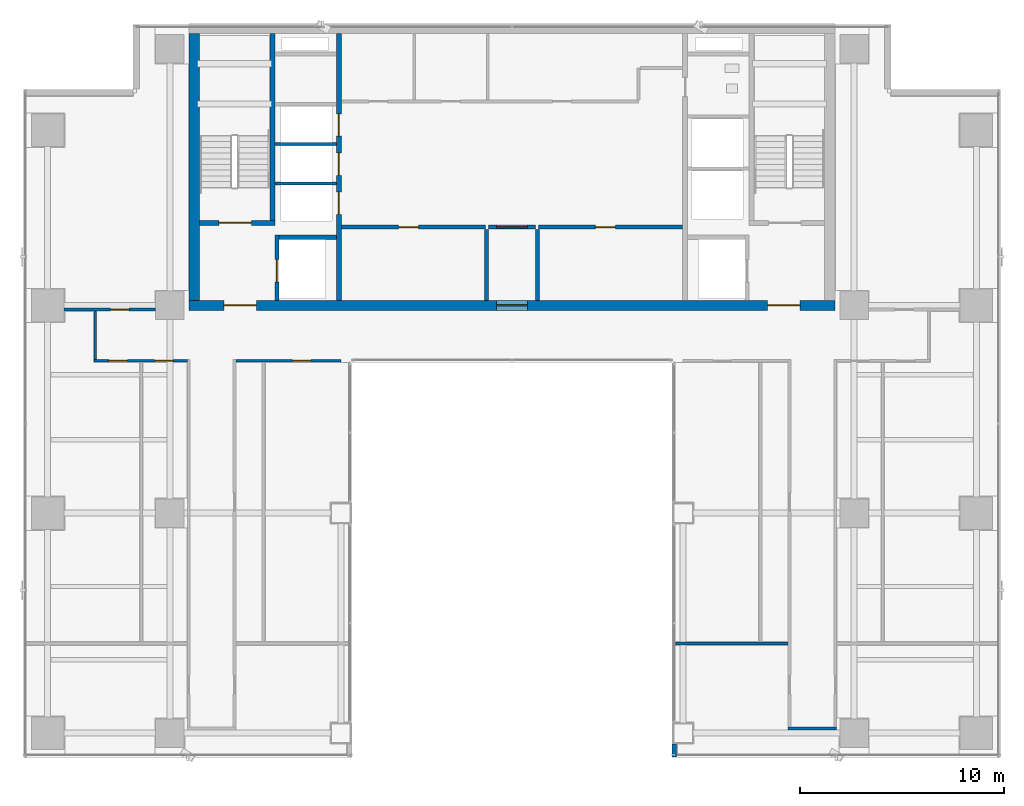
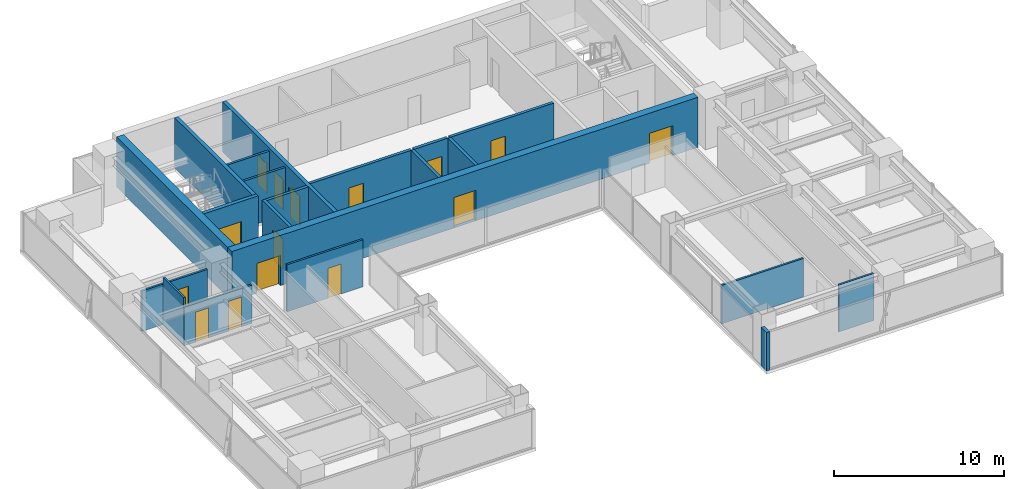
# One storey, part 24 of 30: 21 walls, 15 doors, 15 openings.
"""IFC4 building model written with IfcOpenShell, lengths in metres."""

from ifc_helpers import new_model, si_unit, direction, frame, frame_2d, origin, place, context, subcontext, project, spatial, rectangle, extrude, source, transform, mapped, material, layer, layer_set, type_object, element, fill, save


model = new_model("IFC4")

# Units and contexts
model_context = context("Model", 3, precision=1e-05, world=origin(), true_north=direction((0.0, 1.0)))
body_context = subcontext(model_context, "Body", "Model", "MODEL_VIEW")
ifc_project = project(units=[si_unit("LENGTHUNIT", "METRE"), si_unit("AREAUNIT", "SQUARE_METRE"), si_unit("VOLUMEUNIT", "CUBIC_METRE"), si_unit("PLANEANGLEUNIT", "RADIAN"), si_unit("MASSUNIT", "GRAM", prefix="KILO")], contexts=[model_context])

# Site, building, storey
site_placement = place(None, origin())
site = spatial("IfcSite", under=ifc_project, at=site_placement, CompositionType="ELEMENT")
building_placement = place(site_placement, origin())
building = spatial("IfcBuilding", under=site, at=building_placement, Name="Sumidabori Civic Tower", CompositionType="ELEMENT")
storey_placement = place(building_placement, frame((0.0, 0.0, 200.0)))
storey = spatial("IfcBuildingStorey", under=building, at=storey_placement, Name="L51", CompositionType="ELEMENT", Elevation=200.0)

# Wall
ifc_material_1 = material(Name="Concrete C50/60", Category="concrete")
ifc_layer_1 = layer(ifc_material_1, 0.199951171875, Name="Concrete C50/60")
ifc_layer_set_1 = layer_set([ifc_layer_1], Name="Concrete C50/60")
wall_type_1 = type_object("IfcWallType", Name="WL-SHAFT-200", PredefinedType="SHEAR", material=ifc_layer_set_1)
shared_shape_1 = source(origin(), body_context, "Body", "SweptSolid", [
    extrude(rectangle(XDim=2.824951171875, YDim=0.199951171875, at=frame_2d((1.41259765625, 0.0))), origin(), (0.0, 0.0, 1.0), 3.60009765625),
])
wall_1_placement = place(storey_placement, frame((-11.449951171875, 13.550048828125, 0.0), z_axis=(0.0, 0.0, 1.0), x_axis=(1.0, 0.0, 0.0)))
element("IfcWall", 1, at=wall_1_placement, inside=storey, type_object=wall_type_1, Name="Core Shear Wall L51 EL1-N", PredefinedType="SHEAR", context=body_context, shape_type="MappedRepresentation", body=[
    mapped(shared_shape_1, transform((0.0, 0.0, 0.0), x_axis=(1.0, 0.0, 0.0), y_axis=(0.0, 1.0, 0.0), z_axis=(0.0, 0.0, 1.0), scale=1.0)),
])

# Wall, openings, doors
ifc_layer_2 = layer(ifc_material_1, 0.5, Name="Concrete C50/60")
ifc_layer_set_2 = layer_set([ifc_layer_2], Name="Concrete C50/60")
wall_type_2 = type_object("IfcWallType", Name="WL-CORE-500", PredefinedType="SHEAR", material=ifc_layer_set_2)
shared_shape_2 = source(origin(), body_context, "Body", "SweptSolid", [
    extrude(rectangle(XDim=31.7001953125, YDim=0.5, at=frame_2d((15.85009765625, 0.0))), origin(), (0.0, 0.0, 1.0), 3.60009765625),
])
wall_2_placement = place(storey_placement, frame((-15.85009765625, 10.199951171875, 0.0), z_axis=(0.0, 0.0, 1.0), x_axis=(1.0, 0.0, 0.0)))
wall_2 = element("IfcWall", 2, at=wall_2_placement, inside=storey, type_object=wall_type_2, Name="Core Shear Wall L51 S", PredefinedType="SHEAR", context=body_context, shape_type="MappedRepresentation", body=[
    mapped(shared_shape_2, transform((0.0, 0.0, 0.0), x_axis=(1.0, 0.0, 0.0), y_axis=(0.0, 1.0, 0.0), z_axis=(0.0, 0.0, 1.0), scale=1.0)),
])
opening_1_placement = place(wall_2_placement, frame((1.699951171875, 0.0, 0.0)))
opening_1 = element("IfcOpeningElement", 3, at=opening_1_placement, cuts=wall_2, Name="Opening DR-FD4", PredefinedType="OPENING", context=body_context, shape_type="SweptSolid", body=[
    extrude(rectangle(XDim=1.60009765625, YDim=2.14990234375, at=frame_2d((0.800048828125, 1.074951171875))), frame((0.0, 0.261962890625, 0.0), z_axis=(0.0, -1.0, 0.0), x_axis=(1.0, 0.0, 0.0)), (0.0, 0.0, 1.0), 0.52392578125),
])
opening_2_placement = place(wall_2_placement, frame((28.39990234375, 0.0, 0.0)))
opening_2 = element("IfcOpeningElement", 4, at=opening_2_placement, cuts=wall_2, Name="Opening DR-FD4", PredefinedType="OPENING", context=body_context, shape_type="SweptSolid", body=[
    extrude(rectangle(XDim=1.60009765625, YDim=2.14990234375, at=frame_2d((0.800048828125, 1.074951171875))), frame((0.0, 0.261962890625, 0.0), z_axis=(0.0, -1.0, 0.0), x_axis=(1.0, 0.0, 0.0)), (0.0, 0.0, 1.0), 0.52392578125),
])
opening_3_placement = place(wall_2_placement, frame((15.10009765625, 0.0, 0.0)))
opening_3 = element("IfcOpeningElement", 5, at=opening_3_placement, cuts=wall_2, Name="Opening DR-FD3", PredefinedType="OPENING", context=body_context, shape_type="SweptSolid", body=[
    extrude(rectangle(XDim=1.5, YDim=2.199951171875, at=frame_2d((0.75, 1.10009765625))), frame((0.0, 0.261962890625, 0.0), z_axis=(0.0, -1.0, 0.0), x_axis=(1.0, 0.0, 0.0)), (0.0, 0.0, 1.0), 0.52392578125),
])
ifc_material_2 = material(Name="Steel SN490", Category="steel")
door_type_1 = type_object("IfcDoorType", Name="DR-FD4", OperationType="DOUBLE_DOOR_SINGLE_SWING", PredefinedType="DOOR", material=ifc_material_2)
shared_shape_3 = source(origin(), body_context, "Body", "SweptSolid", [
    extrude(rectangle(XDim=1.60009765625, YDim=2.14990234375, at=frame_2d((0.800048828125, 1.074951171875))), frame((0.0, 0.02490234375, 0.0), z_axis=(0.0, -1.0, 0.0), x_axis=(1.0, 0.0, 0.0)), (0.0, 0.0, 1.0), 0.050048828125),
])
door_1_placement = place(opening_1_placement, origin())
door_1 = element("IfcDoor", 6, at=door_1_placement, inside=storey, type_object=door_type_1, Name="Door DR:L51:ELOB-W", OperationType="DOUBLE_DOOR_SINGLE_SWING", OverallHeight=2.14990234375, OverallWidth=1.60009765625, PredefinedType="DOOR", context=body_context, shape_type="MappedRepresentation", body=[
    mapped(shared_shape_3, transform((0.0, 0.0, 0.0), x_axis=(1.0, 0.0, 0.0), y_axis=(0.0, 1.0, 0.0), z_axis=(0.0, 0.0, 1.0), scale=1.0)),
])
fill(opening_1, door_1)
door_2_placement = place(opening_2_placement, origin())
door_2 = element("IfcDoor", 7, at=door_2_placement, inside=storey, type_object=door_type_1, Name="Door DR:L51:ELOB-E", OperationType="DOUBLE_DOOR_SINGLE_SWING", OverallHeight=2.14990234375, OverallWidth=1.60009765625, PredefinedType="DOOR", context=body_context, shape_type="MappedRepresentation", body=[
    mapped(shared_shape_3, transform((0.0, 0.0, 0.0), x_axis=(1.0, 0.0, 0.0), y_axis=(0.0, 1.0, 0.0), z_axis=(0.0, 0.0, 1.0), scale=1.0)),
])
fill(opening_2, door_2)
door_type_2 = type_object("IfcDoorType", Name="DR-FD-DBL", OperationType="DOUBLE_DOOR_SINGLE_SWING", PredefinedType="DOOR", material=ifc_material_2)
shared_shape_4 = source(origin(), body_context, "Body", "SweptSolid", [
    extrude(rectangle(XDim=1.5, YDim=2.199951171875, at=frame_2d((0.75, 1.10009765625))), frame((0.0, 0.02490234375, 0.0), z_axis=(0.0, -1.0, 0.0), x_axis=(1.0, 0.0, 0.0)), (0.0, 0.0, 1.0), 0.050048828125),
])
door_3_placement = place(opening_3_placement, origin())
door_3 = element("IfcDoor", 8, at=door_3_placement, inside=storey, type_object=door_type_2, Name="Door DR:L51:THROAT-OUT", OperationType="DOUBLE_DOOR_SINGLE_SWING", OverallHeight=2.199951171875, OverallWidth=1.5, PredefinedType="DOOR", context=body_context, shape_type="MappedRepresentation", body=[
    mapped(shared_shape_4, transform((0.0, 0.0, 0.0), x_axis=(1.0, 0.0, 0.0), y_axis=(0.0, 1.0, 0.0), z_axis=(0.0, 0.0, 1.0), scale=1.0)),
])
fill(opening_3, door_3)

# Wall
shared_shape_5 = source(origin(), body_context, "Body", "SweptSolid", [
    extrude(rectangle(XDim=13.10009765625, YDim=0.5, at=frame_2d((6.550048828125, 0.0))), origin(), (0.0, 0.0, 1.0), 3.60009765625),
])
wall_3_placement = place(storey_placement, frame((-15.60009765625, 10.449951171875, 0.0), z_axis=(0.0, 0.0, 1.0), x_axis=(0.0, 1.0, 0.0)))
element("IfcWall", 9, at=wall_3_placement, inside=storey, type_object=wall_type_2, Name="Core Shear Wall L51 W", PredefinedType="SHEAR", context=body_context, shape_type="MappedRepresentation", body=[
    mapped(shared_shape_5, transform((0.0, 0.0, 0.0), x_axis=(1.0, 0.0, 0.0), y_axis=(0.0, 1.0, 0.0), z_axis=(0.0, 0.0, 1.0), scale=1.0)),
])

# Wall, openings, doors
ifc_layer_3 = layer(ifc_material_1, 0.25, Name="Concrete C50/60")
ifc_layer_set_3 = layer_set([ifc_layer_3], Name="Concrete C50/60")
wall_type_3 = type_object("IfcWallType", Name="WL-SHAFT-250", PredefinedType="SHEAR", material=ifc_layer_set_3)
shared_shape_6 = source(origin(), body_context, "Body", "SweptSolid", [
    extrude(rectangle(XDim=13.10009765625, YDim=0.25, at=frame_2d((6.550048828125, 0.0))), origin(), (0.0, 0.0, 1.0), 3.60009765625),
])
wall_4_placement = place(storey_placement, frame((-8.5, 10.449951171875, 0.0), z_axis=(0.0, 0.0, 1.0), x_axis=(0.0, 1.0, 0.0)))
wall_4 = element("IfcWall", 10, at=wall_4_placement, inside=storey, type_object=wall_type_3, Name="Core Shear Wall L51 WEB-W", PredefinedType="SHEAR", context=body_context, shape_type="MappedRepresentation", body=[
    mapped(shared_shape_6, transform((0.0, 0.0, 0.0), x_axis=(1.0, 0.0, 0.0), y_axis=(0.0, 1.0, 0.0), z_axis=(0.0, 0.0, 1.0), scale=1.0)),
])
opening_4_placement = place(wall_4_placement, frame((4.219970703125, 0.0, 0.0)))
opening_4 = element("IfcOpeningElement", 11, at=opening_4_placement, cuts=wall_4, Name="Opening LD-1", PredefinedType="OPENING", context=body_context, shape_type="SweptSolid", body=[
    extrude(rectangle(XDim=1.10009765625, YDim=2.14990234375, at=frame_2d((0.550048828125, 1.074951171875))), frame((0.0, 0.136962890625, 0.0), z_axis=(0.0, -1.0, 0.0), x_axis=(1.0, 0.0, 0.0)), (0.0, 0.0, 1.0), 0.27392578125),
])
opening_5_placement = place(wall_4_placement, frame((6.139892578125, 0.0, 0.0)))
opening_5 = element("IfcOpeningElement", 12, at=opening_5_placement, cuts=wall_4, Name="Opening LD-1", PredefinedType="OPENING", context=body_context, shape_type="SweptSolid", body=[
    extrude(rectangle(XDim=1.10009765625, YDim=2.14990234375, at=frame_2d((0.550048828125, 1.074951171875))), frame((0.0, 0.136962890625, 0.0), z_axis=(0.0, -1.0, 0.0), x_axis=(1.0, 0.0, 0.0)), (0.0, 0.0, 1.0), 0.27392578125),
])
opening_6_placement = place(wall_4_placement, frame((8.06005859375, 0.0, 0.0)))
opening_6 = element("IfcOpeningElement", 13, at=opening_6_placement, cuts=wall_4, Name="Opening LD-1", PredefinedType="OPENING", context=body_context, shape_type="SweptSolid", body=[
    extrude(rectangle(XDim=1.10009765625, YDim=2.14990234375, at=frame_2d((0.550048828125, 1.074951171875))), frame((0.0, 0.136962890625, 0.0), z_axis=(0.0, -1.0, 0.0), x_axis=(1.0, 0.0, 0.0)), (0.0, 0.0, 1.0), 0.27392578125),
])
ifc_material_3 = material(Name="Stainless Steel Hairline Finish", Category="steel")
door_type_3 = type_object("IfcDoorType", Name="DR-LD1", OperationType="DOUBLE_DOOR_SLIDING", PredefinedType="DOOR", material=ifc_material_3)
shared_shape_7 = source(origin(), body_context, "Body", "SweptSolid", [
    extrude(rectangle(XDim=1.10009765625, YDim=2.14990234375, at=frame_2d((0.550048828125, 1.074951171875))), frame((0.0, 0.02490234375, 0.0), z_axis=(0.0, -1.0, 0.0), x_axis=(1.0, 0.0, 0.0)), (0.0, 0.0, 1.0), 0.050048828125),
])
door_4_placement = place(opening_4_placement, origin())
door_4 = element("IfcDoor", 14, at=door_4_placement, inside=storey, type_object=door_type_3, Name="Door DR:L51:LD-PLH1", OperationType="DOUBLE_DOOR_SLIDING", OverallHeight=2.14990234375, OverallWidth=1.10009765625, PredefinedType="DOOR", context=body_context, shape_type="MappedRepresentation", body=[
    mapped(shared_shape_7, transform((0.0, 0.0, 0.0), x_axis=(1.0, 0.0, 0.0), y_axis=(0.0, 1.0, 0.0), z_axis=(0.0, 0.0, 1.0), scale=1.0)),
])
fill(opening_4, door_4)
door_5_placement = place(opening_5_placement, origin())
door_5 = element("IfcDoor", 15, at=door_5_placement, inside=storey, type_object=door_type_3, Name="Door DR:L51:LD-PLH2", OperationType="DOUBLE_DOOR_SLIDING", OverallHeight=2.14990234375, OverallWidth=1.10009765625, PredefinedType="DOOR", context=body_context, shape_type="MappedRepresentation", body=[
    mapped(shared_shape_7, transform((0.0, 0.0, 0.0), x_axis=(1.0, 0.0, 0.0), y_axis=(0.0, 1.0, 0.0), z_axis=(0.0, 0.0, 1.0), scale=1.0)),
])
fill(opening_5, door_5)
door_6_placement = place(opening_6_placement, origin())
door_6 = element("IfcDoor", 16, at=door_6_placement, inside=storey, type_object=door_type_3, Name="Door DR:L51:LD-PLH3", OperationType="DOUBLE_DOOR_SLIDING", OverallHeight=2.14990234375, OverallWidth=1.10009765625, PredefinedType="DOOR", context=body_context, shape_type="MappedRepresentation", body=[
    mapped(shared_shape_7, transform((0.0, 0.0, 0.0), x_axis=(1.0, 0.0, 0.0), y_axis=(0.0, 1.0, 0.0), z_axis=(0.0, 0.0, 1.0), scale=1.0)),
])
fill(opening_6, door_6)

# Wall, opening, door
shared_shape_8 = source(origin(), body_context, "Body", "SweptSolid", [
    extrude(rectangle(XDim=3.705078125, YDim=0.25, at=frame_2d((1.8525390625, 0.0))), origin(), (0.0, 0.0, 1.0), 3.60009765625),
])
wall_5_placement = place(storey_placement, frame((-15.35009765625, 14.25, 0.0), z_axis=(0.0, 0.0, 1.0), x_axis=(1.0, 0.0, 0.0)))
wall_5 = element("IfcWall", 17, at=wall_5_placement, inside=storey, type_object=wall_type_3, Name="Core Shear Wall L51 ST1-S", PredefinedType="SHEAR", context=body_context, shape_type="MappedRepresentation", body=[
    mapped(shared_shape_8, transform((0.0, 0.0, 0.0), x_axis=(1.0, 0.0, 0.0), y_axis=(0.0, 1.0, 0.0), z_axis=(0.0, 0.0, 1.0), scale=1.0)),
])
opening_7_placement = place(wall_5_placement, frame((0.949951171875, 0.0, 0.0)))
opening_7 = element("IfcOpeningElement", 18, at=opening_7_placement, cuts=wall_5, Name="Opening DR-FD4", PredefinedType="OPENING", context=body_context, shape_type="SweptSolid", body=[
    extrude(rectangle(XDim=1.60009765625, YDim=2.14990234375, at=frame_2d((0.800048828125, 1.074951171875))), frame((0.0, 0.136962890625, 0.0), z_axis=(0.0, -1.0, 0.0), x_axis=(1.0, 0.0, 0.0)), (0.0, 0.0, 1.0), 0.27392578125),
])
door_7_placement = place(opening_7_placement, origin())
door_7 = element("IfcDoor", 19, at=door_7_placement, inside=storey, type_object=door_type_1, Name="Door DR:L51:ST1", OperationType="DOUBLE_DOOR_SINGLE_SWING", OverallHeight=2.14990234375, OverallWidth=1.60009765625, PredefinedType="DOOR", context=body_context, shape_type="MappedRepresentation", body=[
    mapped(shared_shape_3, transform((0.0, 0.0, 0.0), x_axis=(1.0, 0.0, 0.0), y_axis=(0.0, 1.0, 0.0), z_axis=(0.0, 0.0, 1.0), scale=1.0)),
])
fill(opening_7, door_7)

# Wall
shared_shape_9 = source(origin(), body_context, "Body", "SweptSolid", [
    extrude(rectangle(XDim=9.175048828125, YDim=0.25, at=frame_2d((4.58740234375, 0.0))), origin(), (0.0, 0.0, 1.0), 3.60009765625),
])
wall_6_placement = place(storey_placement, frame((-11.77001953125, 14.375, 0.0), z_axis=(0.0, 0.0, 1.0), x_axis=(0.0, 1.0, 0.0)))
element("IfcWall", 20, at=wall_6_placement, inside=storey, type_object=wall_type_3, Name="Core Shear Wall L51 ST1-E", PredefinedType="SHEAR", context=body_context, shape_type="MappedRepresentation", body=[
    mapped(shared_shape_9, transform((0.0, 0.0, 0.0), x_axis=(1.0, 0.0, 0.0), y_axis=(0.0, 1.0, 0.0), z_axis=(0.0, 0.0, 1.0), scale=1.0)),
])

# Wall, opening, door
shared_shape_10 = source(origin(), body_context, "Body", "SweptSolid", [
    extrude(rectangle(XDim=3.199951171875, YDim=0.199951171875, at=frame_2d((1.60009765625, 0.0))), origin(), (0.0, 0.0, 1.0), 3.60009765625),
])
wall_7_placement = place(storey_placement, frame((-11.550048828125, 10.449951171875, 0.0), z_axis=(0.0, 0.0, 1.0), x_axis=(0.0, 1.0, 0.0)))
wall_7 = element("IfcWall", 21, at=wall_7_placement, inside=storey, type_object=wall_type_1, Name="Core Shear Wall L51 EL1-W", PredefinedType="SHEAR", context=body_context, shape_type="MappedRepresentation", body=[
    mapped(shared_shape_10, transform((0.0, 0.0, 0.0), x_axis=(1.0, 0.0, 0.0), y_axis=(0.0, 1.0, 0.0), z_axis=(0.0, 0.0, 1.0), scale=1.0)),
])
opening_8_placement = place(wall_7_placement, frame((0.89990234375, 0.0, 0.0)))
opening_8 = element("IfcOpeningElement", 22, at=opening_8_placement, cuts=wall_7, Name="Opening LD-2", PredefinedType="OPENING", context=body_context, shape_type="SweptSolid", body=[
    extrude(rectangle(XDim=1.10009765625, YDim=2.14990234375, at=frame_2d((0.550048828125, 1.074951171875))), frame((0.0, 0.11181640625, 0.0), z_axis=(0.0, -1.0, 0.0), x_axis=(1.0, 0.0, 0.0)), (0.0, 0.0, 1.0), 0.223876953125),
])
door_type_4 = type_object("IfcDoorType", Name="DR-LD2", OperationType="DOUBLE_DOOR_SLIDING", PredefinedType="DOOR", material=ifc_material_3)
door_8_placement = place(opening_8_placement, origin())
door_8 = element("IfcDoor", 23, at=door_8_placement, inside=storey, type_object=door_type_4, Name="Door DR:L51:LD-EL1", OperationType="DOUBLE_DOOR_SLIDING", OverallHeight=2.14990234375, OverallWidth=1.10009765625, PredefinedType="DOOR", context=body_context, shape_type="MappedRepresentation", body=[
    mapped(shared_shape_7, transform((0.0, 0.0, 0.0), x_axis=(1.0, 0.0, 0.0), y_axis=(0.0, 1.0, 0.0), z_axis=(0.0, 0.0, 1.0), scale=1.0)),
])
fill(opening_8, door_8)

# Walls
ifc_material_4 = material(Name="Precast concrete C40/50", Category="concrete")
ifc_layer_4 = layer(ifc_material_4, 0.300048828125, Name="Precast concrete C40/50")
ifc_layer_set_4 = layer_set([ifc_layer_4], Name="Precast concrete C40/50")
wall_type_4 = type_object("IfcWallType", Name="WL-EXT-POD300", PredefinedType="STANDARD", material=ifc_layer_set_4)
shared_shape_11 = source(origin(), body_context, "Body", "SweptSolid", [
    extrude(rectangle(XDim=0.639892578125, YDim=0.239990234375, at=frame_2d((0.31982421875, 0.0))), origin(), (0.0, 0.0, 1.0), 2.760009765625),
])
wall_8_placement = place(storey_placement, frame((7.969970703125, -11.330078125, 0.0), z_axis=(0.0, 0.0, 1.0), x_axis=(0.0, -1.0, 0.0)))
element("IfcWall", 24, at=wall_8_placement, inside=storey, type_object=wall_type_4, Name="Perimeter Pier Spandrel L51-08", PredefinedType="STANDARD", context=body_context, shape_type="MappedRepresentation", body=[
    mapped(shared_shape_11, transform((0.0, 0.0, 0.0), x_axis=(1.0, 0.0, 0.0), y_axis=(0.0, 1.0, 0.0), z_axis=(0.0, 0.0, 1.0), scale=1.0)),
])
ifc_material_5 = material(Name="Gypsum Plasterboard Acoustic Partition")
ifc_layer_5 = layer(ifc_material_5, 0.14990234375, Name="Gypsum Plasterboard Acoustic Partition")
ifc_layer_set_5 = layer_set([ifc_layer_5], Name="Gypsum Plasterboard Acoustic Partition")
wall_type_5 = type_object("IfcWallType", Name="WL-PART-150", PredefinedType="PARTITIONING", material=ifc_layer_set_5)
shared_shape_12 = source(origin(), body_context, "Body", "SweptSolid", [
    extrude(rectangle(XDim=3.010009765625, YDim=0.14990234375, at=frame_2d((1.5048828125, 0.0))), origin(), (0.0, 0.0, 1.0), 3.3798828125),
])
for number, where, z_axis, x_axis, name in (
    (25, (-11.639892578125, 16.199951171875, 0.0), (0.0, 0.0, 1.0), (1.0, 0.0, 0.0), "Interior Partition WL:L51:DIV-PLH1"),
    (26, (-11.639892578125, 18.1201171875, 0.0), (0.0, 0.0, 1.0), (1.0, 0.0, 0.0), "Interior Partition WL:L51:DIV-PLH2"),
):
    element("IfcWall", number, at=place(storey_placement, frame(where, z_axis=z_axis, x_axis=x_axis)), inside=storey, type_object=wall_type_5, Name=name, PredefinedType="PARTITIONING", context=body_context, shape_type="MappedRepresentation", body=[
        mapped(shared_shape_12, transform((0.0, 0.0, 0.0), x_axis=(1.0, 0.0, 0.0), y_axis=(0.0, 1.0, 0.0), z_axis=(0.0, 0.0, 1.0), scale=1.0)),
    ])

# Wall, opening, door
ifc_material_6 = material(Name="Gypsum Plasterboard Fire Partition")
ifc_layer_6 = layer(ifc_material_6, 0.199951171875, Name="Gypsum Plasterboard Fire Partition")
ifc_layer_set_6 = layer_set([ifc_layer_6], Name="Gypsum Plasterboard Fire Partition")
wall_type_6 = type_object("IfcWallType", Name="WL-PART-FIRE", PredefinedType="PARTITIONING", material=ifc_layer_set_6)
shared_shape_13 = source(origin(), body_context, "Body", "SweptSolid", [
    extrude(rectangle(XDim=7.070068359375, YDim=0.199951171875, at=frame_2d((3.53515625, 0.0))), origin(), (0.0, 0.0, 1.0), 3.3798828125),
])
wall_9_placement = place(storey_placement, frame((-8.3701171875, 14.050048828125, 0.0), z_axis=(0.0, 0.0, 1.0), x_axis=(1.0, 0.0, 0.0)))
wall_9 = element("IfcWall", 27, at=wall_9_placement, inside=storey, type_object=wall_type_6, Name="Interior Partition WL:L51:CBAND-SW", PredefinedType="PARTITIONING", context=body_context, shape_type="MappedRepresentation", body=[
    mapped(shared_shape_13, transform((0.0, 0.0, 0.0), x_axis=(1.0, 0.0, 0.0), y_axis=(0.0, 1.0, 0.0), z_axis=(0.0, 0.0, 1.0), scale=1.0)),
])
opening_9_placement = place(wall_9_placement, frame((2.800048828125, 0.0, 0.0)))
opening_9 = element("IfcOpeningElement", 28, at=opening_9_placement, cuts=wall_9, Name="Opening DR-3", PredefinedType="OPENING", context=body_context, shape_type="SweptSolid", body=[
    extrude(rectangle(XDim=0.97998046875, YDim=2.14990234375, at=frame_2d((0.489990234375, 1.074951171875))), frame((0.0, 0.11181640625, 0.0), z_axis=(0.0, -1.0, 0.0), x_axis=(1.0, 0.0, 0.0)), (0.0, 0.0, 1.0), 0.223876953125),
])
ifc_material_7 = material(Name="Japanese Hinoki Timber", Category="wood")
door_type_5 = type_object("IfcDoorType", Name="DR-INT-980", OperationType="NOTDEFINED", PredefinedType="DOOR", material=ifc_material_7)
shared_shape_14 = source(origin(), body_context, "Body", "SweptSolid", [
    extrude(rectangle(XDim=0.97998046875, YDim=2.14990234375, at=frame_2d((0.489990234375, 1.074951171875))), frame((0.0, 0.02490234375, 0.0), z_axis=(0.0, -1.0, 0.0), x_axis=(1.0, 0.0, 0.0)), (0.0, 0.0, 1.0), 0.050048828125),
])
door_9_placement = place(opening_9_placement, origin())
door_9 = element("IfcDoor", 29, at=door_9_placement, inside=storey, type_object=door_type_5, Name="Door DR:L51:REC-B1", OperationType="SINGLE_SWING_LEFT", OverallHeight=2.14990234375, OverallWidth=0.97998046875, PredefinedType="DOOR", context=body_context, shape_type="MappedRepresentation", body=[
    mapped(shared_shape_14, transform((0.0, 0.0, 0.0), x_axis=(1.0, 0.0, 0.0), y_axis=(0.0, 1.0, 0.0), z_axis=(0.0, 0.0, 1.0), scale=1.0)),
])
fill(opening_9, door_9)

wall_10_placement = place(storey_placement, frame((1.300048828125, 14.050048828125, 0.0), z_axis=(0.0, 0.0, 1.0), x_axis=(1.0, 0.0, 0.0)))
wall_10 = element("IfcWall", 30, at=wall_10_placement, inside=storey, type_object=wall_type_6, Name="Interior Partition WL:L51:CBAND-SE", PredefinedType="PARTITIONING", context=body_context, shape_type="MappedRepresentation", body=[
    mapped(shared_shape_13, transform((0.0, 0.0, 0.0), x_axis=(1.0, 0.0, 0.0), y_axis=(0.0, 1.0, 0.0), z_axis=(0.0, 0.0, 1.0), scale=1.0)),
])
opening_10_placement = place(wall_10_placement, frame((2.800048828125, 0.0, 0.0)))
opening_10 = element("IfcOpeningElement", 31, at=opening_10_placement, cuts=wall_10, Name="Opening DR-3", PredefinedType="OPENING", context=body_context, shape_type="SweptSolid", body=[
    extrude(rectangle(XDim=0.97998046875, YDim=2.14990234375, at=frame_2d((0.489990234375, 1.074951171875))), frame((0.0, 0.11181640625, 0.0), z_axis=(0.0, -1.0, 0.0), x_axis=(1.0, 0.0, 0.0)), (0.0, 0.0, 1.0), 0.223876953125),
])
door_10_placement = place(opening_10_placement, origin())
door_10 = element("IfcDoor", 32, at=door_10_placement, inside=storey, type_object=door_type_5, Name="Door DR:L51:REC-B2", OperationType="SINGLE_SWING_RIGHT", OverallHeight=2.14990234375, OverallWidth=0.97998046875, PredefinedType="DOOR", context=body_context, shape_type="MappedRepresentation", body=[
    mapped(shared_shape_14, transform((0.0, 0.0, 0.0), x_axis=(1.0, 0.0, 0.0), y_axis=(0.0, 1.0, 0.0), z_axis=(0.0, 0.0, 1.0), scale=1.0)),
])
fill(opening_10, door_10)

shared_shape_15 = source(origin(), body_context, "Body", "SweptSolid", [
    extrude(rectangle(XDim=2.2998046875, YDim=0.199951171875, at=frame_2d((1.14990234375, 0.0))), origin(), (0.0, 0.0, 1.0), 3.3798828125),
])
wall_11_placement = place(storey_placement, frame((-1.14990234375, 14.050048828125, 0.0), z_axis=(0.0, 0.0, 1.0), x_axis=(1.0, 0.0, 0.0)))
wall_11 = element("IfcWall", 33, at=wall_11_placement, inside=storey, type_object=wall_type_6, Name="Interior Partition WL:L51:THROAT-N", PredefinedType="PARTITIONING", context=body_context, shape_type="MappedRepresentation", body=[
    mapped(shared_shape_15, transform((0.0, 0.0, 0.0), x_axis=(1.0, 0.0, 0.0), y_axis=(0.0, 1.0, 0.0), z_axis=(0.0, 0.0, 1.0), scale=1.0)),
])
opening_11_placement = place(wall_11_placement, frame((0.39990234375, 0.0, 0.0)))
opening_11 = element("IfcOpeningElement", 34, at=opening_11_placement, cuts=wall_11, Name="Opening DR-FD3", PredefinedType="OPENING", context=body_context, shape_type="SweptSolid", body=[
    extrude(rectangle(XDim=1.5, YDim=2.199951171875, at=frame_2d((0.75, 1.10009765625))), frame((0.0, 0.11181640625, 0.0), z_axis=(0.0, -1.0, 0.0), x_axis=(1.0, 0.0, 0.0)), (0.0, 0.0, 1.0), 0.223876953125),
])
door_11_placement = place(opening_11_placement, origin())
door_11 = element("IfcDoor", 35, at=door_11_placement, inside=storey, type_object=door_type_2, Name="Door DR:L51:THROAT-IN", OperationType="DOUBLE_DOOR_SINGLE_SWING", OverallHeight=2.199951171875, OverallWidth=1.5, PredefinedType="DOOR", context=body_context, shape_type="MappedRepresentation", body=[
    mapped(shared_shape_4, transform((0.0, 0.0, 0.0), x_axis=(1.0, 0.0, 0.0), y_axis=(0.0, 1.0, 0.0), z_axis=(0.0, 0.0, 1.0), scale=1.0)),
])
fill(opening_11, door_11)

# Wall
ifc_layer_7 = layer(ifc_material_5, 0.135009765625, Name="Gypsum Plasterboard Acoustic Partition")
ifc_layer_set_7 = layer_set([ifc_layer_7], Name="Gypsum Plasterboard Acoustic Partition")
wall_type_7 = type_object("IfcWallType", Name="WL-PART-135", PredefinedType="PARTITIONING", material=ifc_layer_set_7)
shared_shape_16 = source(origin(), body_context, "Body", "SweptSolid", [
    extrude(rectangle(XDim=2.3701171875, YDim=0.135009765625, at=frame_2d((1.18505859375, 0.0))), origin(), (0.0, 0.0, 1.0), 3.3798828125),
])
wall_12_placement = place(storey_placement, frame((13.56494140625, -10.5673828125, 0.0), z_axis=(0.0, 0.0, 1.0), x_axis=(1.0, 0.0, 0.0)))
element("IfcWall", 36, at=wall_12_placement, inside=storey, type_object=wall_type_7, Name="Interior Partition WL:L51:CORR-CAP-E", PredefinedType="PARTITIONING", context=body_context, shape_type="MappedRepresentation", body=[
    mapped(shared_shape_16, transform((0.0, 0.0, 0.0), x_axis=(1.0, 0.0, 0.0), y_axis=(0.0, 1.0, 0.0), z_axis=(0.0, 0.0, 1.0), scale=1.0)),
])

# Wall, opening, door
shared_shape_17 = source(origin(), body_context, "Body", "SweptSolid", [
    extrude(rectangle(XDim=4.47998046875, YDim=0.135009765625, at=frame_2d((2.239990234375, 0.0))), origin(), (0.0, 0.0, 1.0), 2.9150390625),
])
wall_13_placement = place(storey_placement, frame((-21.989990234375, 10.0, 0.0), z_axis=(0.0, 0.0, 1.0), x_axis=(1.0, 0.0, 0.0)))
wall_13 = element("IfcWall", 37, at=wall_13_placement, inside=storey, type_object=wall_type_7, Name="Interior Partition WL:L51:FLK-NW", PredefinedType="PARTITIONING", context=body_context, shape_type="MappedRepresentation", body=[
    mapped(shared_shape_17, transform((0.0, 0.0, 0.0), x_axis=(1.0, 0.0, 0.0), y_axis=(0.0, 1.0, 0.0), z_axis=(0.0, 0.0, 1.0), scale=1.0)),
])
opening_12_placement = place(wall_13_placement, frame((2.284912109375, 0.0, 0.0)))
opening_12 = element("IfcOpeningElement", 38, at=opening_12_placement, cuts=wall_13, Name="Opening DR-1", PredefinedType="OPENING", context=body_context, shape_type="SweptSolid", body=[
    extrude(rectangle(XDim=0.89990234375, YDim=2.14990234375, at=frame_2d((0.449951171875, 1.074951171875))), frame((0.0, 0.07958984375, 0.0), z_axis=(0.0, -1.0, 0.0), x_axis=(1.0, 0.0, 0.0)), (0.0, 0.0, 1.0), 0.158935546875),
])
door_type_6 = type_object("IfcDoorType", Name="DR-INT-900", OperationType="NOTDEFINED", PredefinedType="DOOR", material=ifc_material_7)
shared_shape_18 = source(origin(), body_context, "Body", "SweptSolid", [
    extrude(rectangle(XDim=0.89990234375, YDim=2.14990234375, at=frame_2d((0.449951171875, 1.074951171875))), frame((0.0, 0.02490234375, 0.0), z_axis=(0.0, -1.0, 0.0), x_axis=(1.0, 0.0, 0.0)), (0.0, 0.0, 1.0), 0.050048828125),
])
door_12_placement = place(opening_12_placement, origin())
door_12 = element("IfcDoor", 39, at=door_12_placement, inside=storey, type_object=door_type_6, Name="Door DR:L51:FLK-NW", OperationType="SINGLE_SWING_LEFT", OverallHeight=2.14990234375, OverallWidth=0.89990234375, PredefinedType="DOOR", context=body_context, shape_type="MappedRepresentation", body=[
    mapped(shared_shape_18, transform((0.0, 0.0, 0.0), x_axis=(1.0, 0.0, 0.0), y_axis=(0.0, 1.0, 0.0), z_axis=(0.0, 0.0, 1.0), scale=1.0)),
])
fill(opening_12, door_12)

# Walls
shared_shape_19 = source(origin(), body_context, "Body", "SweptSolid", [
    extrude(rectangle(XDim=3.489990234375, YDim=0.199951171875, at=frame_2d((1.7451171875, 0.0))), origin(), (0.0, 0.0, 1.0), 3.3798828125),
])
for number, where, z_axis, x_axis, name in (
    (40, (-1.25, 10.449951171875, 0.0), (0.0, 0.0, 1.0), (0.0, 1.0, 0.0), "Interior Partition WL:L51:THROAT-W"),
    (41, (1.25, 10.449951171875, 0.0), (0.0, 0.0, 1.0), (0.0, 1.0, 0.0), "Interior Partition WL:L51:THROAT-E"),
):
    element("IfcWall", number, at=place(storey_placement, frame(where, z_axis=z_axis, x_axis=x_axis)), inside=storey, type_object=wall_type_6, Name=name, PredefinedType="PARTITIONING", context=body_context, shape_type="MappedRepresentation", body=[
        mapped(shared_shape_19, transform((0.0, 0.0, 0.0), x_axis=(1.0, 0.0, 0.0), y_axis=(0.0, 1.0, 0.0), z_axis=(0.0, 0.0, 1.0), scale=1.0)),
    ])

# Wall, openings, doors
shared_shape_20 = source(origin(), body_context, "Body", "SweptSolid", [
    extrude(rectangle(XDim=4.599853515625, YDim=0.135009765625, at=frame_2d((2.2998046875, 0.0))), origin(), (0.0, 0.0, 1.0), 2.764892578125),
])
wall_14_placement = place(storey_placement, frame((-20.534912109375, 7.482421875, 0.0), z_axis=(0.0, 0.0, 1.0), x_axis=(1.0, 0.0, 0.0)))
wall_14 = element("IfcWall", 42, at=wall_14_placement, inside=storey, type_object=wall_type_7, Name="Interior Partition WL:L51:CORR-SWO", PredefinedType="PARTITIONING", context=body_context, shape_type="MappedRepresentation", body=[
    mapped(shared_shape_20, transform((0.0, 0.0, 0.0), x_axis=(1.0, 0.0, 0.0), y_axis=(0.0, 1.0, 0.0), z_axis=(0.0, 0.0, 1.0), scale=1.0)),
])
opening_13_placement = place(wall_14_placement, frame((0.743896484375, 0.0, 0.0)))
opening_13 = element("IfcOpeningElement", 43, at=opening_13_placement, cuts=wall_14, Name="Opening DR-1", PredefinedType="OPENING", context=body_context, shape_type="SweptSolid", body=[
    extrude(rectangle(XDim=0.89990234375, YDim=2.14990234375, at=frame_2d((0.449951171875, 1.074951171875))), frame((0.0, 0.07958984375, 0.0), z_axis=(0.0, -1.0, 0.0), x_axis=(1.0, 0.0, 0.0)), (0.0, 0.0, 1.0), 0.158935546875),
])
opening_14_placement = place(wall_14_placement, frame((2.9912109375, 0.0, 0.0)))
opening_14 = element("IfcOpeningElement", 44, at=opening_14_placement, cuts=wall_14, Name="Opening DR-1", PredefinedType="OPENING", context=body_context, shape_type="SweptSolid", body=[
    extrude(rectangle(XDim=0.89990234375, YDim=2.14990234375, at=frame_2d((0.449951171875, 1.074951171875))), frame((0.0, 0.07958984375, 0.0), z_axis=(0.0, -1.0, 0.0), x_axis=(1.0, 0.0, 0.0)), (0.0, 0.0, 1.0), 0.158935546875),
])
door_13_placement = place(opening_13_placement, origin())
door_13 = element("IfcDoor", 45, at=door_13_placement, inside=storey, type_object=door_type_6, Name="Door DR:L51:D03", OperationType="SINGLE_SWING_LEFT", OverallHeight=2.14990234375, OverallWidth=0.89990234375, PredefinedType="DOOR", context=body_context, shape_type="MappedRepresentation", body=[
    mapped(shared_shape_18, transform((0.0, 0.0, 0.0), x_axis=(1.0, 0.0, 0.0), y_axis=(0.0, 1.0, 0.0), z_axis=(0.0, 0.0, 1.0), scale=1.0)),
])
fill(opening_13, door_13)
door_14_placement = place(opening_14_placement, origin())
door_14 = element("IfcDoor", 46, at=door_14_placement, inside=storey, type_object=door_type_6, Name="Door DR:L51:D05", OperationType="SINGLE_SWING_LEFT", OverallHeight=2.14990234375, OverallWidth=0.89990234375, PredefinedType="DOOR", context=body_context, shape_type="MappedRepresentation", body=[
    mapped(shared_shape_18, transform((0.0, 0.0, 0.0), x_axis=(1.0, 0.0, 0.0), y_axis=(0.0, 1.0, 0.0), z_axis=(0.0, 0.0, 1.0), scale=1.0)),
])
fill(opening_14, door_14)

# Wall, opening, door
shared_shape_21 = source(origin(), body_context, "Body", "SweptSolid", [
    extrude(rectangle(XDim=5.1650390625, YDim=0.135009765625, at=frame_2d((2.58251953125, 0.0))), origin(), (0.0, 0.0, 1.0), 3.3798828125),
])
wall_15_placement = place(storey_placement, frame((-13.56494140625, 7.482421875, 0.0), z_axis=(0.0, 0.0, 1.0), x_axis=(1.0, 0.0, 0.0)))
wall_15 = element("IfcWall", 47, at=wall_15_placement, inside=storey, type_object=wall_type_7, Name="Interior Partition WL:L51:CORR-SWI", PredefinedType="PARTITIONING", context=body_context, shape_type="MappedRepresentation", body=[
    mapped(shared_shape_21, transform((0.0, 0.0, 0.0), x_axis=(1.0, 0.0, 0.0), y_axis=(0.0, 1.0, 0.0), z_axis=(0.0, 0.0, 1.0), scale=1.0)),
])
opening_15_placement = place(wall_15_placement, frame((2.788818359375, 0.0, 0.0)))
opening_15 = element("IfcOpeningElement", 48, at=opening_15_placement, cuts=wall_15, Name="Opening DR-1", PredefinedType="OPENING", context=body_context, shape_type="SweptSolid", body=[
    extrude(rectangle(XDim=0.89990234375, YDim=2.14990234375, at=frame_2d((0.449951171875, 1.074951171875))), frame((0.0, 0.07958984375, 0.0), z_axis=(0.0, -1.0, 0.0), x_axis=(1.0, 0.0, 0.0)), (0.0, 0.0, 1.0), 0.158935546875),
])
door_15_placement = place(opening_15_placement, origin())
door_15 = element("IfcDoor", 49, at=door_15_placement, inside=storey, type_object=door_type_6, Name="Door DR:L51:D06", OperationType="SINGLE_SWING_RIGHT", OverallHeight=2.14990234375, OverallWidth=0.89990234375, PredefinedType="DOOR", context=body_context, shape_type="MappedRepresentation", body=[
    mapped(shared_shape_18, transform((0.0, 0.0, 0.0), x_axis=(1.0, 0.0, 0.0), y_axis=(0.0, 1.0, 0.0), z_axis=(0.0, 0.0, 1.0), scale=1.0)),
])
fill(opening_15, door_15)

# Walls
shared_shape_22 = source(origin(), body_context, "Body", "SweptSolid", [
    extrude(rectangle(XDim=2.37255859375, YDim=0.135009765625, at=frame_2d((1.186279296875, 0.0))), origin(), (0.0, 0.0, 1.0), 3.3798828125),
])
wall_16_placement = place(storey_placement, frame((-20.467529296875, 7.554931640625, 0.0), z_axis=(0.0, 0.0, 1.0), x_axis=(0.0, 1.0, 0.0)))
element("IfcWall", 50, at=wall_16_placement, inside=storey, type_object=wall_type_7, Name="Interior Partition WL:L51:CORR-VNW", PredefinedType="PARTITIONING", context=body_context, shape_type="MappedRepresentation", body=[
    mapped(shared_shape_22, transform((0.0, 0.0, 0.0), x_axis=(1.0, 0.0, 0.0), y_axis=(0.0, 1.0, 0.0), z_axis=(0.0, 0.0, 1.0), scale=1.0)),
])
shared_shape_23 = source(origin(), body_context, "Body", "SweptSolid", [
    extrude(rectangle(XDim=5.56005859375, YDim=0.135009765625, at=frame_2d((2.780029296875, 0.0))), origin(), (0.0, 0.0, 1.0), 2.764892578125),
])
wall_17_placement = place(storey_placement, frame((8.0, -6.39990234375, 0.0), z_axis=(0.0, 0.0, 1.0), x_axis=(1.0, 0.0, 0.0)))
element("IfcWall", 51, at=wall_17_placement, inside=storey, type_object=wall_type_7, Name="Interior Partition WL:L51:BAND-YE-1", PredefinedType="PARTITIONING", context=body_context, shape_type="MappedRepresentation", body=[
    mapped(shared_shape_23, transform((0.0, 0.0, 0.0), x_axis=(1.0, 0.0, 0.0), y_axis=(0.0, 1.0, 0.0), z_axis=(0.0, 0.0, 1.0), scale=1.0)),
])

save(model, "model.ifc")
